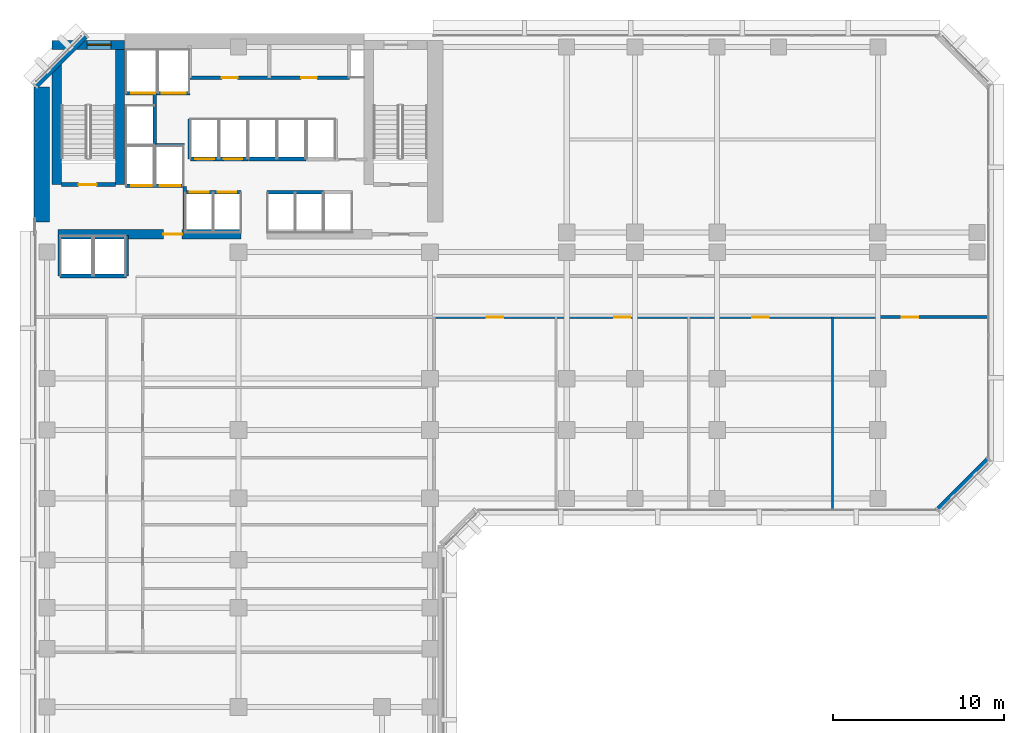
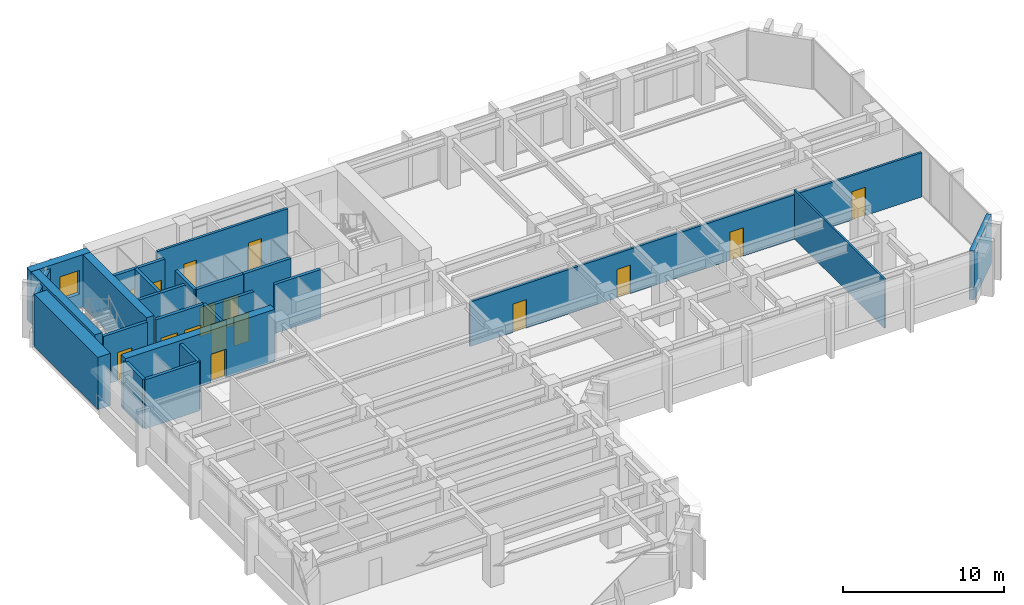
# One storey, part 7 of 13: 24 walls, 16 doors, 1 window, 17 openings.
"""IFC4 building model written with IfcOpenShell, lengths in metres."""

from ifc_helpers import new_model, si_unit, direction, frame, frame_2d, origin, place, context, subcontext, project, spatial, rectangle, extrude, material, layer, layer_set, type_object, element, fill, save


model = new_model("IFC4")

# Units and contexts
model_context = context("Model", 3, precision=1e-05, world=origin(), true_north=direction((0.0, 1.0)))
body_context = subcontext(model_context, "Body", "Model", "MODEL_VIEW")
ifc_project = project(units=[si_unit("LENGTHUNIT", "METRE"), si_unit("AREAUNIT", "SQUARE_METRE"), si_unit("VOLUMEUNIT", "CUBIC_METRE"), si_unit("PLANEANGLEUNIT", "RADIAN"), si_unit("MASSUNIT", "GRAM", prefix="KILO")], contexts=[model_context])

# Site, building, storey
site_placement = place(None, origin())
site = spatial("IfcSite", under=ifc_project, at=site_placement, CompositionType="ELEMENT")
building_placement = place(site_placement, origin())
building = spatial("IfcBuilding", under=site, at=building_placement, Name="Kefirva Bronze Tower", CompositionType="ELEMENT")
storey_placement = place(building_placement, frame((0.0, 0.0, 85.800048828125)))
storey = spatial("IfcBuildingStorey", under=building, at=storey_placement, Name="L20", CompositionType="ELEMENT", Elevation=85.800048828125)

# Wall
ifc_material_1 = material(Name="Gypsum acoustic partition")
ifc_layer_1 = layer(ifc_material_1, 0.1298828125, Name="Gypsum acoustic partition")
ifc_layer_set_1 = layer_set([ifc_layer_1], Name="Gypsum acoustic partition")
wall_type_1 = type_object("IfcWallType", Name="Acoustic Office Partition 130mm", PredefinedType="PARTITIONING", material=ifc_layer_set_1)
wall_1_placement = place(storey_placement, frame((46.749267578125, 18.18994140625, 0.0), z_axis=(0.0, 0.0, 1.0), x_axis=(0.0, 1.0, 0.0)))
element("IfcWall", 1, at=wall_1_placement, inside=storey, type_object=wall_type_1, Name="L20 Partition W-L20-ESD3", PredefinedType="PARTITIONING", context=body_context, shape_type="SweptSolid", body=[
    extrude(rectangle(XDim=11.2099609375, YDim=0.1298828125, at=frame_2d((5.60498046875, 0.0))), origin(), (0.0, 0.0, 1.0), 3.7099609375),
])

# Wall, opening, door
ifc_material_2 = material(Name="Gypsum fireboard shaftwall")
ifc_layer_2 = layer(ifc_material_2, 0.219970703125, Name="Gypsum fireboard shaftwall")
ifc_layer_set_2 = layer_set([ifc_layer_2], Name="Gypsum fireboard shaftwall")
wall_type_2 = type_object("IfcWallType", Name="Fire-Rated Shaft Enclosure Wall 220mm", PredefinedType="PARTITIONING", material=ifc_layer_set_2)
wall_2_placement = place(storey_placement, frame((1.64990234375, 37.14990234375, 0.0), z_axis=(0.0, 0.0, 1.0), x_axis=(1.0, 0.0, 0.0)))
wall_2 = element("IfcWall", 2, at=wall_2_placement, inside=storey, type_object=wall_type_2, Name="L20 Partition W-L20-ST1S", PredefinedType="PARTITIONING", context=body_context, shape_type="SweptSolid", body=[
    extrude(rectangle(XDim=3.150146484375, YDim=0.219970703125, at=frame_2d((1.5751953125, 0.0))), origin(), (0.0, 0.0, 1.0), 3.7099609375),
])
opening_1_placement = place(wall_2_placement, frame((2.050048828125, 0.0, 0.0), z_axis=(0.0, 0.0, 1.0), x_axis=(-1.0, 0.0, 0.0)))
opening_1 = element("IfcOpeningElement", 3, at=opening_1_placement, cuts=wall_2, Name="Opening L20-D001", PredefinedType="OPENING", context=body_context, shape_type="SweptSolid", body=[
    extrude(rectangle(XDim=1.050048828125, YDim=2.14990234375, at=frame_2d((0.52490234375, 1.074951171875))), frame((0.0, 0.1201171875, 0.0), z_axis=(0.0, -1.0, 0.0), x_axis=(1.0, 0.0, 0.0)), (0.0, 0.0, 1.0), 0.239990234375),
])
ifc_material_3 = material(Name="Painted galvanized steel", Category="steel")
door_type_1 = type_object("IfcDoorType", Name="Fire Stair Enclosure Door 1050x2150 FD90S", OperationType="NOTDEFINED", PredefinedType="DOOR", material=ifc_material_3)
door_1_placement = place(opening_1_placement, origin())
door_1 = element("IfcDoor", 4, at=door_1_placement, inside=storey, type_object=door_type_1, Name="Door L20-D001", OperationType="SINGLE_SWING_RIGHT", OverallHeight=2.14990234375, OverallWidth=1.050048828125, PredefinedType="DOOR", context=body_context, shape_type="SweptSolid", body=[
    extrude(rectangle(XDim=1.050048828125, YDim=2.14990234375, at=frame_2d((0.52490234375, 1.074951171875))), frame((0.0, 0.02490234375, 0.0), z_axis=(0.0, -1.0, 0.0), x_axis=(1.0, 0.0, 0.0)), (0.0, 0.0, 1.0), 0.050048828125),
])
fill(opening_1, door_1)

# Wall, openings, doors
wall_3_placement = place(storey_placement, frame((5.3798828125, 37.080078125, 0.0), z_axis=(0.0, 0.0, 1.0), x_axis=(1.0, 0.0, 0.0)))
wall_3 = element("IfcWall", 5, at=wall_3_placement, inside=storey, type_object=wall_type_2, Name="L20 Partition W-L20-FFS", PredefinedType="PARTITIONING", context=body_context, shape_type="SweptSolid", body=[
    extrude(rectangle(XDim=3.460205078125, YDim=0.219970703125, at=frame_2d((1.72998046875, 0.0))), origin(), (0.0, 0.0, 1.0), 3.7099609375),
])
opening_2_placement = place(wall_3_placement, frame((1.550048828125, 0.0, 0.0), z_axis=(0.0, 0.0, 1.0), x_axis=(-1.0, 0.0, 0.0)))
opening_2 = element("IfcOpeningElement", 6, at=opening_2_placement, cuts=wall_3, Name="Opening L20-LD-FF1", PredefinedType="OPENING", context=body_context, shape_type="SweptSolid", body=[
    extrude(rectangle(XDim=1.199951171875, YDim=2.199951171875, at=frame_2d((0.60009765625, 1.10009765625))), frame((0.0, 0.1201171875, 0.0), z_axis=(0.0, -1.0, 0.0), x_axis=(1.0, 0.0, 0.0)), (0.0, 0.0, 1.0), 0.239990234375),
])
opening_3_placement = place(wall_3_placement, frame((3.219970703125, 0.0, 0.0), z_axis=(0.0, 0.0, 1.0), x_axis=(-1.0, 0.0, 0.0)))
opening_3 = element("IfcOpeningElement", 7, at=opening_3_placement, cuts=wall_3, Name="Opening L20-LD-FF2", PredefinedType="OPENING", context=body_context, shape_type="SweptSolid", body=[
    extrude(rectangle(XDim=1.199951171875, YDim=2.199951171875, at=frame_2d((0.60009765625, 1.10009765625))), frame((0.0, 0.1201171875, 0.0), z_axis=(0.0, -1.0, 0.0), x_axis=(1.0, 0.0, 0.0)), (0.0, 0.0, 1.0), 0.239990234375),
])
ifc_material_4 = material(Name="Stainless steel 316", Category="steel")
door_type_2 = type_object("IfcDoorType", Name="Firefighting Lift Sliding Door 1200x2200", OperationType="SLIDING_TO_RIGHT", PredefinedType="DOOR", material=ifc_material_4)
door_2_placement = place(opening_2_placement, origin())
door_2 = element("IfcDoor", 8, at=door_2_placement, inside=storey, type_object=door_type_2, Name="Door L20-LD-FF1", OperationType="SLIDING_TO_RIGHT", OverallHeight=2.199951171875, OverallWidth=1.199951171875, PredefinedType="DOOR", context=body_context, shape_type="SweptSolid", body=[
    extrude(rectangle(XDim=1.199951171875, YDim=2.199951171875, at=frame_2d((0.60009765625, 1.10009765625))), frame((0.0, 0.02490234375, 0.0), z_axis=(0.0, -1.0, 0.0), x_axis=(1.0, 0.0, 0.0)), (0.0, 0.0, 1.0), 0.050048828125),
])
fill(opening_2, door_2)
door_3_placement = place(opening_3_placement, origin())
door_3 = element("IfcDoor", 9, at=door_3_placement, inside=storey, type_object=door_type_2, Name="Door L20-LD-FF2", OperationType="SLIDING_TO_RIGHT", OverallHeight=2.199951171875, OverallWidth=1.199951171875, PredefinedType="DOOR", context=body_context, shape_type="SweptSolid", body=[
    extrude(rectangle(XDim=1.199951171875, YDim=2.199951171875, at=frame_2d((0.60009765625, 1.10009765625))), frame((0.0, 0.02490234375, 0.0), z_axis=(0.0, -1.0, 0.0), x_axis=(1.0, 0.0, 0.0)), (0.0, 0.0, 1.0), 0.050048828125),
])
fill(opening_3, door_3)

# Wall
wall_4_placement = place(storey_placement, frame((5.3798828125, 39.449951171875, 0.0), z_axis=(0.0, 0.0, 1.0), x_axis=(1.0, 0.0, 0.0)))
element("IfcWall", 10, at=wall_4_placement, inside=storey, type_object=wall_type_2, Name="L20 Partition W-L20-FFN", PredefinedType="PARTITIONING", context=body_context, shape_type="SweptSolid", body=[
    extrude(rectangle(XDim=3.460205078125, YDim=0.219970703125, at=frame_2d((1.72998046875, 0.0))), origin(), (0.0, 0.0, 1.0), 3.7099609375),
])

# Wall, openings, doors
wall_5_placement = place(storey_placement, frame((5.3798828125, 42.5, 0.0), z_axis=(0.0, 0.0, 1.0), x_axis=(1.0, 0.0, 0.0)))
wall_5 = element("IfcWall", 11, at=wall_5_placement, inside=storey, type_object=wall_type_2, Name="L20 Partition W-L20-SVS", PredefinedType="PARTITIONING", context=body_context, shape_type="SweptSolid", body=[
    extrude(rectangle(XDim=3.77001953125, YDim=0.219970703125, at=frame_2d((1.885009765625, 0.0))), origin(), (0.0, 0.0, 1.0), 3.7099609375),
])
opening_4_placement = place(wall_5_placement, frame((1.75, 0.0, 0.0), z_axis=(0.0, 0.0, 1.0), x_axis=(-1.0, 0.0, 0.0)))
opening_4 = element("IfcOpeningElement", 12, at=opening_4_placement, cuts=wall_5, Name="Opening L20-LD-SV1", PredefinedType="OPENING", context=body_context, shape_type="SweptSolid", body=[
    extrude(rectangle(XDim=1.39990234375, YDim=2.199951171875, at=frame_2d((0.699951171875, 1.10009765625))), frame((0.0, 0.1201171875, 0.0), z_axis=(0.0, -1.0, 0.0), x_axis=(1.0, 0.0, 0.0)), (0.0, 0.0, 1.0), 0.239990234375),
])
opening_5_placement = place(wall_5_placement, frame((3.52978515625, 0.0, 0.0), z_axis=(0.0, 0.0, 1.0), x_axis=(-1.0, 0.0, 0.0)))
opening_5 = element("IfcOpeningElement", 13, at=opening_5_placement, cuts=wall_5, Name="Opening L20-LD-SV2", PredefinedType="OPENING", context=body_context, shape_type="SweptSolid", body=[
    extrude(rectangle(XDim=1.39990234375, YDim=2.199951171875, at=frame_2d((0.699951171875, 1.10009765625))), frame((0.0, 0.1201171875, 0.0), z_axis=(0.0, -1.0, 0.0), x_axis=(1.0, 0.0, 0.0)), (0.0, 0.0, 1.0), 0.239990234375),
])
door_type_3 = type_object("IfcDoorType", Name="Goods Lift Bi-Parting Sliding Door 1400x2200", OperationType="SLIDING_TO_LEFT", PredefinedType="DOOR", material=ifc_material_4)
door_4_placement = place(opening_4_placement, origin())
door_4 = element("IfcDoor", 14, at=door_4_placement, inside=storey, type_object=door_type_3, Name="Door L20-LD-SV1", OperationType="SLIDING_TO_LEFT", OverallHeight=2.199951171875, OverallWidth=1.39990234375, PredefinedType="DOOR", context=body_context, shape_type="SweptSolid", body=[
    extrude(rectangle(XDim=1.39990234375, YDim=2.199951171875, at=frame_2d((0.699951171875, 1.10009765625))), frame((0.0, 0.02490234375, 0.0), z_axis=(0.0, -1.0, 0.0), x_axis=(1.0, 0.0, 0.0)), (0.0, 0.0, 1.0), 0.050048828125),
])
fill(opening_4, door_4)
door_5_placement = place(opening_5_placement, origin())
door_5 = element("IfcDoor", 15, at=door_5_placement, inside=storey, type_object=door_type_3, Name="Door L20-LD-SV2", OperationType="SLIDING_TO_LEFT", OverallHeight=2.199951171875, OverallWidth=1.39990234375, PredefinedType="DOOR", context=body_context, shape_type="SweptSolid", body=[
    extrude(rectangle(XDim=1.39990234375, YDim=2.199951171875, at=frame_2d((0.699951171875, 1.10009765625))), frame((0.0, 0.02490234375, 0.0), z_axis=(0.0, -1.0, 0.0), x_axis=(1.0, 0.0, 0.0)), (0.0, 0.0, 1.0), 0.050048828125),
])
fill(opening_5, door_5)

# Walls
wall_6_placement = place(storey_placement, frame((7.10009765625, 39.52001953125, 0.0), z_axis=(0.0, 0.0, 1.0), x_axis=(0.0, 1.0, 0.0)))
element("IfcWall", 16, at=wall_6_placement, inside=storey, type_object=wall_type_2, Name="L20 Partition W-L20-HP3E", PredefinedType="PARTITIONING", context=body_context, shape_type="SweptSolid", body=[
    extrude(rectangle(XDim=2.929931640625, YDim=0.219970703125, at=frame_2d((1.46484375, 0.0))), origin(), (0.0, 0.0, 1.0), 3.7099609375),
])
wall_7_placement = place(storey_placement, frame((1.550048828125, 31.800048828125, 0.0), z_axis=(0.0, 0.0, 1.0), x_axis=(1.0, 0.0, 0.0)))
element("IfcWall", 17, at=wall_7_placement, inside=storey, type_object=wall_type_2, Name="L20 Partition W-L20-OBS", PredefinedType="PARTITIONING", context=body_context, shape_type="SweptSolid", body=[
    extrude(rectangle(XDim=3.89990234375, YDim=0.219970703125, at=frame_2d((1.949951171875, 0.0))), origin(), (0.0, 0.0, 1.0), 3.7099609375),
])
for number, where, z_axis, x_axis, name in (
    (18, (1.550048828125, 31.800048828125, 0.0), (0.0, 0.0, 1.0), (0.0, 1.0, 0.0), "L20 Partition W-L20-OBW"),
    (19, (5.449951171875, 31.800048828125, 0.0), (0.0, 0.0, 1.0), (0.0, 1.0, 0.0), "L20 Partition W-L20-OBE"),
):
    element("IfcWall", number, at=place(storey_placement, frame(where, z_axis=z_axis, x_axis=x_axis)), inside=storey, type_object=wall_type_2, Name=name, PredefinedType="PARTITIONING", context=body_context, shape_type="SweptSolid", body=[
        extrude(rectangle(XDim=2.3798828125, YDim=0.219970703125, at=frame_2d((1.18994140625, 0.0))), origin(), (0.0, 0.0, 1.0), 3.7099609375),
    ])
wall_8_placement = place(storey_placement, frame((9.159912109375, 38.64990234375, 0.0), z_axis=(0.0, 0.0, 1.0), x_axis=(0.0, 1.0, 0.0)))
element("IfcWall", 20, at=wall_8_placement, inside=storey, type_object=wall_type_2, Name="L20 Partition W-L20-LP3W", PredefinedType="PARTITIONING", context=body_context, shape_type="SweptSolid", body=[
    extrude(rectangle(XDim=2.35009765625, YDim=0.199951171875, at=frame_2d((1.175048828125, 0.0))), origin(), (0.0, 0.0, 1.0), 3.7099609375),
])

# Wall, openings, doors
wall_9_placement = place(storey_placement, frame((8.89990234375, 36.699951171875, 0.0), z_axis=(0.0, 0.0, 1.0), x_axis=(1.0, 0.0, 0.0)))
wall_9 = element("IfcWall", 21, at=wall_9_placement, inside=storey, type_object=wall_type_2, Name="L20 Partition W-L20-LPS", PredefinedType="PARTITIONING", context=body_context, shape_type="SweptSolid", body=[
    extrude(rectangle(XDim=3.260009765625, YDim=0.219970703125, at=frame_2d((1.6298828125, 0.0))), origin(), (0.0, 0.0, 1.0), 3.7099609375),
])
opening_6_placement = place(wall_9_placement, frame((0.260009765625, 0.0, 0.0)))
opening_6 = element("IfcOpeningElement", 22, at=opening_6_placement, cuts=wall_9, Name="Opening L20-LD-LP1", PredefinedType="OPENING", context=body_context, shape_type="SweptSolid", body=[
    extrude(rectangle(XDim=1.10009765625, YDim=2.199951171875, at=frame_2d((0.550048828125, 1.10009765625))), frame((0.0, 0.1201171875, 0.0), z_axis=(0.0, -1.0, 0.0), x_axis=(1.0, 0.0, 0.0)), (0.0, 0.0, 1.0), 0.239990234375),
])
opening_7_placement = place(wall_9_placement, frame((1.8798828125, 0.0, 0.0)))
opening_7 = element("IfcOpeningElement", 23, at=opening_7_placement, cuts=wall_9, Name="Opening L20-LD-LP2", PredefinedType="OPENING", context=body_context, shape_type="SweptSolid", body=[
    extrude(rectangle(XDim=1.10009765625, YDim=2.199951171875, at=frame_2d((0.550048828125, 1.10009765625))), frame((0.0, 0.1201171875, 0.0), z_axis=(0.0, -1.0, 0.0), x_axis=(1.0, 0.0, 0.0)), (0.0, 0.0, 1.0), 0.239990234375),
])
door_type_4 = type_object("IfcDoorType", Name="Passenger Lift Sliding Landing Door 1100x2200", OperationType="SLIDING_TO_LEFT", PredefinedType="DOOR", material=ifc_material_4)
door_6_placement = place(opening_6_placement, origin())
door_6 = element("IfcDoor", 24, at=door_6_placement, inside=storey, type_object=door_type_4, Name="Door L20-LD-LP1", OperationType="SLIDING_TO_LEFT", OverallHeight=2.199951171875, OverallWidth=1.10009765625, PredefinedType="DOOR", context=body_context, shape_type="SweptSolid", body=[
    extrude(rectangle(XDim=1.10009765625, YDim=2.199951171875, at=frame_2d((0.550048828125, 1.10009765625))), frame((0.0, 0.02490234375, 0.0), z_axis=(0.0, -1.0, 0.0), x_axis=(1.0, 0.0, 0.0)), (0.0, 0.0, 1.0), 0.050048828125),
])
fill(opening_6, door_6)
door_7_placement = place(opening_7_placement, origin())
door_7 = element("IfcDoor", 25, at=door_7_placement, inside=storey, type_object=door_type_4, Name="Door L20-LD-LP2", OperationType="SLIDING_TO_LEFT", OverallHeight=2.199951171875, OverallWidth=1.10009765625, PredefinedType="DOOR", context=body_context, shape_type="SweptSolid", body=[
    extrude(rectangle(XDim=1.10009765625, YDim=2.199951171875, at=frame_2d((0.550048828125, 1.10009765625))), frame((0.0, 0.02490234375, 0.0), z_axis=(0.0, -1.0, 0.0), x_axis=(1.0, 0.0, 0.0)), (0.0, 0.0, 1.0), 0.050048828125),
])
fill(opening_7, door_7)

wall_10_placement = place(storey_placement, frame((9.179931640625, 38.64990234375, 0.0), z_axis=(0.0, 0.0, 1.0), x_axis=(1.0, 0.0, 0.0)))
wall_10 = element("IfcWall", 26, at=wall_10_placement, inside=storey, type_object=wall_type_2, Name="L20 Partition W-L20-LPN", PredefinedType="PARTITIONING", context=body_context, shape_type="SweptSolid", body=[
    extrude(rectangle(XDim=3.380126953125, YDim=0.219970703125, at=frame_2d((1.68994140625, 0.0))), origin(), (0.0, 0.0, 1.0), 3.7099609375),
])
opening_8_placement = place(wall_10_placement, frame((0.300048828125, 0.0, 0.0)))
opening_8 = element("IfcOpeningElement", 27, at=opening_8_placement, cuts=wall_10, Name="Opening L20-LD-LP3", PredefinedType="OPENING", context=body_context, shape_type="SweptSolid", body=[
    extrude(rectangle(XDim=1.10009765625, YDim=2.199951171875, at=frame_2d((0.550048828125, 1.10009765625))), frame((0.0, 0.1201171875, 0.0), z_axis=(0.0, -1.0, 0.0), x_axis=(1.0, 0.0, 0.0)), (0.0, 0.0, 1.0), 0.239990234375),
])
opening_9_placement = place(wall_10_placement, frame((1.949951171875, 0.0, 0.0)))
opening_9 = element("IfcOpeningElement", 28, at=opening_9_placement, cuts=wall_10, Name="Opening L20-LD-LP4", PredefinedType="OPENING", context=body_context, shape_type="SweptSolid", body=[
    extrude(rectangle(XDim=1.10009765625, YDim=2.199951171875, at=frame_2d((0.550048828125, 1.10009765625))), frame((0.0, 0.1201171875, 0.0), z_axis=(0.0, -1.0, 0.0), x_axis=(1.0, 0.0, 0.0)), (0.0, 0.0, 1.0), 0.239990234375),
])
door_8_placement = place(opening_8_placement, origin())
door_8 = element("IfcDoor", 29, at=door_8_placement, inside=storey, type_object=door_type_4, Name="Door L20-LD-LP3", OperationType="SLIDING_TO_LEFT", OverallHeight=2.199951171875, OverallWidth=1.10009765625, PredefinedType="DOOR", context=body_context, shape_type="SweptSolid", body=[
    extrude(rectangle(XDim=1.10009765625, YDim=2.199951171875, at=frame_2d((0.550048828125, 1.10009765625))), frame((0.0, 0.02490234375, 0.0), z_axis=(0.0, -1.0, 0.0), x_axis=(1.0, 0.0, 0.0)), (0.0, 0.0, 1.0), 0.050048828125),
])
fill(opening_8, door_8)
door_9_placement = place(opening_9_placement, origin())
door_9 = element("IfcDoor", 30, at=door_9_placement, inside=storey, type_object=door_type_4, Name="Door L20-LD-LP4", OperationType="SLIDING_TO_LEFT", OverallHeight=2.199951171875, OverallWidth=1.10009765625, PredefinedType="DOOR", context=body_context, shape_type="SweptSolid", body=[
    extrude(rectangle(XDim=1.10009765625, YDim=2.199951171875, at=frame_2d((0.550048828125, 1.10009765625))), frame((0.0, 0.02490234375, 0.0), z_axis=(0.0, -1.0, 0.0), x_axis=(1.0, 0.0, 0.0)), (0.0, 0.0, 1.0), 0.050048828125),
])
fill(opening_9, door_9)

# Walls
wall_11_placement = place(storey_placement, frame((13.679931640625, 36.699951171875, 0.0), z_axis=(0.0, 0.0, 1.0), x_axis=(1.0, 0.0, 0.0)))
element("IfcWall", 31, at=wall_11_placement, inside=storey, type_object=wall_type_2, Name="L20 Partition W-L20-MPS", PredefinedType="PARTITIONING", context=body_context, shape_type="SweptSolid", body=[
    extrude(rectangle(XDim=3.280029296875, YDim=0.219970703125, at=frame_2d((1.64013671875, 0.0))), origin(), (0.0, 0.0, 1.0), 3.7099609375),
])
wall_12_placement = place(storey_placement, frame((12.580078125, 38.64990234375, 0.0), z_axis=(0.0, 0.0, 1.0), x_axis=(1.0, 0.0, 0.0)))
element("IfcWall", 32, at=wall_12_placement, inside=storey, type_object=wall_type_2, Name="L20 Partition W-L20-MPN", PredefinedType="PARTITIONING", context=body_context, shape_type="SweptSolid", body=[
    extrude(rectangle(XDim=3.3798828125, YDim=0.219970703125, at=frame_2d((1.68994140625, 0.0))), origin(), (0.0, 0.0, 1.0), 3.7099609375),
])
ifc_material_5 = material(Name="Gypsum fireboard barrier")
ifc_layer_3 = layer(ifc_material_5, 0.199951171875, Name="Gypsum fireboard barrier")
ifc_layer_set_3 = layer_set([ifc_layer_3], Name="Gypsum fireboard barrier")
wall_type_3 = type_object("IfcWallType", Name="Firefighting Lobby Barrier Wall 200mm", PredefinedType="PARTITIONING", material=ifc_layer_set_3)
wall_13_placement = place(storey_placement, frame((8.860107421875, 34.550048828125, 0.0), z_axis=(0.0, 0.0, 1.0), x_axis=(0.0, 1.0, 0.0)))
element("IfcWall", 33, at=wall_13_placement, inside=storey, type_object=wall_type_3, Name="L20 Partition W-L20-FFLE", PredefinedType="PARTITIONING", context=body_context, shape_type="SweptSolid", body=[
    extrude(rectangle(XDim=2.5, YDim=0.199951171875, at=frame_2d((1.25, 0.0))), origin(), (0.0, 0.0, 1.0), 3.7099609375),
])
ifc_material_6 = material(Name="Precast concrete C40/50", Category="concrete")
ifc_layer_4 = layer(ifc_material_6, 0.320068359375, Name="Precast concrete C40/50")
ifc_layer_set_4 = layer_set([ifc_layer_4], Name="Precast concrete C40/50")
wall_type_4 = type_object("IfcWallType", Name="Precast Insulated Exterior Wall 320mm", PredefinedType="SOLIDWALL", material=ifc_layer_set_4)
for number, where, z_axis, x_axis, name in (
    (34, (52.92578125, 18.152099609375, 0.0), (0.0, 0.0, 1.0), (0.707106781187, 0.707106781187, 0.0), "L20 Exterior Facade Wall 4"),
    (35, (3.07421875, 45.847900390625, 0.0), (0.0, 0.0, 1.0), (-0.707106781187, -0.707106781187, 0.0), "L20 Exterior Facade Wall 6"),
):
    element("IfcWall", number, at=place(storey_placement, frame(where, z_axis=z_axis, x_axis=x_axis)), inside=storey, type_object=wall_type_4, Name=name, PredefinedType="SOLIDWALL", context=body_context, shape_type="SweptSolid", body=[
        extrude(rectangle(XDim=4.132568359375, YDim=0.320068359375, at=frame_2d((2.06640625, 0.0))), origin(), (0.0, 0.0, 1.0), 3.7099609375),
    ])

# Wall, openings, doors
ifc_layer_5 = layer(ifc_material_1, 0.159912109375, Name="Gypsum acoustic partition")
ifc_layer_set_5 = layer_set([ifc_layer_5], Name="Gypsum acoustic partition")
wall_type_5 = type_object("IfcWallType", Name="Protected Corridor Partition 160mm", PredefinedType="PARTITIONING", material=ifc_layer_set_5)
wall_14_placement = place(storey_placement, frame((23.449951171875, 29.39990234375, 0.0), z_axis=(0.0, 0.0, 1.0), x_axis=(1.0, 0.0, 0.0)))
wall_14 = element("IfcWall", 36, at=wall_14_placement, inside=storey, type_object=wall_type_5, Name="L20 Partition W-L20-EWS", PredefinedType="PARTITIONING", context=body_context, shape_type="SweptSolid", body=[
    extrude(rectangle(XDim=32.360107421875, YDim=0.159912109375, at=frame_2d((16.18017578125, 0.0))), origin(), (0.0, 0.0, 1.0), 3.364990234375),
])
opening_10_placement = place(wall_14_placement, frame((4.03466796875, 0.0, 0.0), z_axis=(0.0, 0.0, 1.0), x_axis=(-1.0, 0.0, 0.0)))
opening_10 = element("IfcOpeningElement", 37, at=opening_10_placement, cuts=wall_14, Name="Opening L20-D-ES1", PredefinedType="OPENING", context=body_context, shape_type="SweptSolid", body=[
    extrude(rectangle(XDim=0.949951171875, YDim=2.14990234375, at=frame_2d((0.47509765625, 1.074951171875))), frame((0.0, 0.08984375, 0.0), z_axis=(0.0, -1.0, 0.0), x_axis=(1.0, 0.0, 0.0)), (0.0, 0.0, 1.0), 0.179931640625),
])
opening_11_placement = place(wall_14_placement, frame((11.477294921875, 0.0, 0.0), z_axis=(0.0, 0.0, 1.0), x_axis=(-1.0, 0.0, 0.0)))
opening_11 = element("IfcOpeningElement", 38, at=opening_11_placement, cuts=wall_14, Name="Opening L20-D-ES2", PredefinedType="OPENING", context=body_context, shape_type="SweptSolid", body=[
    extrude(rectangle(XDim=0.949951171875, YDim=2.14990234375, at=frame_2d((0.47509765625, 1.074951171875))), frame((0.0, 0.08984375, 0.0), z_axis=(0.0, -1.0, 0.0), x_axis=(1.0, 0.0, 0.0)), (0.0, 0.0, 1.0), 0.179931640625),
])
opening_12_placement = place(wall_14_placement, frame((19.5673828125, 0.0, 0.0), z_axis=(0.0, 0.0, 1.0), x_axis=(-1.0, 0.0, 0.0)))
opening_12 = element("IfcOpeningElement", 39, at=opening_12_placement, cuts=wall_14, Name="Opening L20-D-ES3", PredefinedType="OPENING", context=body_context, shape_type="SweptSolid", body=[
    extrude(rectangle(XDim=0.949951171875, YDim=2.14990234375, at=frame_2d((0.47509765625, 1.074951171875))), frame((0.0, 0.08984375, 0.0), z_axis=(0.0, -1.0, 0.0), x_axis=(1.0, 0.0, 0.0)), (0.0, 0.0, 1.0), 0.179931640625),
])
opening_13_placement = place(wall_14_placement, frame((28.304443359375, 0.0, 0.0), z_axis=(0.0, 0.0, 1.0), x_axis=(-1.0, 0.0, 0.0)))
opening_13 = element("IfcOpeningElement", 40, at=opening_13_placement, cuts=wall_14, Name="Opening L20-D-ES4", PredefinedType="OPENING", context=body_context, shape_type="SweptSolid", body=[
    extrude(rectangle(XDim=0.949951171875, YDim=2.14990234375, at=frame_2d((0.47509765625, 1.074951171875))), frame((0.0, 0.08984375, 0.0), z_axis=(0.0, -1.0, 0.0), x_axis=(1.0, 0.0, 0.0)), (0.0, 0.0, 1.0), 0.179931640625),
])
ifc_material_7 = material(Name="Acoustic hardwood oak", Category="wood")
door_type_5 = type_object("IfcDoorType", Name="Office & Meeting Room Door 950x2150", OperationType="NOTDEFINED", PredefinedType="DOOR", material=ifc_material_7)
door_10_placement = place(opening_10_placement, origin())
door_10 = element("IfcDoor", 41, at=door_10_placement, inside=storey, type_object=door_type_5, Name="Door L20-D-ES1", OperationType="SINGLE_SWING_RIGHT", OverallHeight=2.14990234375, OverallWidth=0.949951171875, PredefinedType="DOOR", context=body_context, shape_type="SweptSolid", body=[
    extrude(rectangle(XDim=0.949951171875, YDim=2.14990234375, at=frame_2d((0.47509765625, 1.074951171875))), frame((0.0, 0.02490234375, 0.0), z_axis=(0.0, -1.0, 0.0), x_axis=(1.0, 0.0, 0.0)), (0.0, 0.0, 1.0), 0.050048828125),
])
fill(opening_10, door_10)
door_11_placement = place(opening_11_placement, origin())
door_11 = element("IfcDoor", 42, at=door_11_placement, inside=storey, type_object=door_type_5, Name="Door L20-D-ES2", OperationType="SINGLE_SWING_LEFT", OverallHeight=2.14990234375, OverallWidth=0.949951171875, PredefinedType="DOOR", context=body_context, shape_type="SweptSolid", body=[
    extrude(rectangle(XDim=0.949951171875, YDim=2.14990234375, at=frame_2d((0.47509765625, 1.074951171875))), frame((0.0, 0.02490234375, 0.0), z_axis=(0.0, -1.0, 0.0), x_axis=(1.0, 0.0, 0.0)), (0.0, 0.0, 1.0), 0.050048828125),
])
fill(opening_11, door_11)
door_12_placement = place(opening_12_placement, origin())
door_12 = element("IfcDoor", 43, at=door_12_placement, inside=storey, type_object=door_type_5, Name="Door L20-D-ES3", OperationType="SINGLE_SWING_RIGHT", OverallHeight=2.14990234375, OverallWidth=0.949951171875, PredefinedType="DOOR", context=body_context, shape_type="SweptSolid", body=[
    extrude(rectangle(XDim=0.949951171875, YDim=2.14990234375, at=frame_2d((0.47509765625, 1.074951171875))), frame((0.0, 0.02490234375, 0.0), z_axis=(0.0, -1.0, 0.0), x_axis=(1.0, 0.0, 0.0)), (0.0, 0.0, 1.0), 0.050048828125),
])
fill(opening_12, door_12)
door_13_placement = place(opening_13_placement, origin())
door_13 = element("IfcDoor", 44, at=door_13_placement, inside=storey, type_object=door_type_5, Name="Door L20-D-ES4", OperationType="SINGLE_SWING_LEFT", OverallHeight=2.14990234375, OverallWidth=0.949951171875, PredefinedType="DOOR", context=body_context, shape_type="SweptSolid", body=[
    extrude(rectangle(XDim=0.949951171875, YDim=2.14990234375, at=frame_2d((0.47509765625, 1.074951171875))), frame((0.0, 0.02490234375, 0.0), z_axis=(0.0, -1.0, 0.0), x_axis=(1.0, 0.0, 0.0)), (0.0, 0.0, 1.0), 0.050048828125),
])
fill(opening_13, door_13)

# Wall, opening, window
ifc_material_8 = material(Name="Concrete C50/60", Category="concrete")
ifc_layer_6 = layer(ifc_material_8, 0.550048828125, Name="Concrete C50/60")
ifc_layer_set_6 = layer_set([ifc_layer_6], Name="Concrete C50/60")
wall_type_6 = type_object("IfcWallType", Name="RC Rear Core Exterior Wall 550mm", PredefinedType="SHEAR", material=ifc_layer_set_6)
wall_15_placement = place(storey_placement, frame((1.10009765625, 45.320068359375, 0.0), z_axis=(0.0, 0.0, 1.0), x_axis=(1.0, 0.0, 0.0)))
wall_15 = element("IfcWall", 45, at=wall_15_placement, inside=storey, type_object=wall_type_6, Name="L20 Stair 1 North Shear Wall", PredefinedType="SHEAR", context=body_context, shape_type="SweptSolid", body=[
    extrude(rectangle(XDim=4.239990234375, YDim=0.550048828125, at=frame_2d((2.1201171875, 0.0))), origin(), (0.0, 0.0, 1.0), 3.9599609375),
])
opening_14_placement = place(wall_15_placement, frame((2.050048828125, 0.0, 1.050048828125)))
opening_14 = element("IfcOpeningElement", 46, at=opening_14_placement, cuts=wall_15, Name="Opening WN-03", PredefinedType="OPENING", context=body_context, shape_type="SweptSolid", body=[
    extrude(rectangle(XDim=1.39990234375, YDim=1.800048828125, at=frame_2d((0.699951171875, 0.89990234375))), frame((0.0, 0.28515625, 0.0), z_axis=(0.0, -1.0, 0.0), x_axis=(1.0, 0.0, 0.0)), (0.0, 0.0, 1.0), 0.570068359375),
])
ifc_material_9 = material(Name="Laminated low-E double glazing", Category="glass")
window_type = type_object("IfcWindowType", Name="Rear-Core Stair Daylight Window 1400x1800", PartitioningType="SINGLE_PANEL", PredefinedType="WINDOW", material=ifc_material_9)
window_placement = place(opening_14_placement, origin())
window = element("IfcWindow", 47, at=window_placement, inside=storey, type_object=window_type, Name="L20 Stair 1 Daylight Window", OverallHeight=1.800048828125, OverallWidth=1.39990234375, PartitioningType="SINGLE_PANEL", PredefinedType="WINDOW", context=body_context, shape_type="SweptSolid", body=[
    extrude(rectangle(XDim=1.39990234375, YDim=1.800048828125, at=frame_2d((0.699951171875, 0.89990234375))), frame((0.0, 0.030029296875, 0.0), z_axis=(0.0, -1.0, 0.0), x_axis=(1.0, 0.0, 0.0)), (0.0, 0.0, 1.0), 0.06005859375),
])
fill(opening_14, window)

# Walls
ifc_material_10 = material(Name="Concrete C60/75", Category="concrete")
ifc_layer_7 = layer(ifc_material_10, 0.89990234375, Name="Concrete C60/75")
ifc_layer_set_7 = layer_set([ifc_layer_7], Name="Concrete C60/75")
wall_type_7 = type_object("IfcWallType", Name="RC Rear Core Exterior Wall 900mm", PredefinedType="SHEAR", material=ifc_layer_set_7)
wall_16_placement = place(storey_placement, frame((0.5, 34.949951171875, 0.0), z_axis=(0.0, 0.0, 1.0), x_axis=(0.0, 1.0, 0.0)))
element("IfcWall", 48, at=wall_16_placement, inside=storey, type_object=wall_type_7, Name="L20 Rear Core West Shear Wall", PredefinedType="SHEAR", context=body_context, shape_type="SweptSolid", body=[
    extrude(rectangle(XDim=7.900146484375, YDim=0.89990234375, at=frame_2d((3.9501953125, 0.0))), origin(), (0.0, 0.0, 1.0), 3.9599609375),
])
ifc_layer_8 = layer(ifc_material_8, 0.550048828125, Name="Concrete C50/60")
ifc_layer_set_8 = layer_set([ifc_layer_8], Name="Concrete C50/60")
wall_type_8 = type_object("IfcWallType", Name="RC Rear Core Interior Wall 550mm", PredefinedType="SHEAR", material=ifc_layer_set_8)
for number, where, z_axis, x_axis, name in (
    (49, (1.3701171875, 37.14990234375, 0.0), (0.0, 0.0, 1.0), (0.0, 1.0, 0.0), "L20 Stair 1 West Shear Wall"),
    (50, (5.070068359375, 37.14990234375, 0.0), (0.0, 0.0, 1.0), (0.0, 1.0, 0.0), "L20 Stair 1 East Shear Wall"),
):
    element("IfcWall", number, at=place(storey_placement, frame(where, z_axis=z_axis, x_axis=x_axis)), inside=storey, type_object=wall_type_8, Name=name, PredefinedType="SHEAR", context=body_context, shape_type="SweptSolid", body=[
        extrude(rectangle(XDim=7.89013671875, YDim=0.550048828125, at=frame_2d((3.945068359375, 0.0))), origin(), (0.0, 0.0, 1.0), 3.9599609375),
    ])

# Wall, opening, door
ifc_layer_9 = layer(ifc_material_10, 0.89990234375, Name="Concrete C60/75")
ifc_layer_set_9 = layer_set([ifc_layer_9], Name="Concrete C60/75")
wall_type_9 = type_object("IfcWallType", Name="RC Rear Core Interior Wall 900mm", PredefinedType="SHEAR", material=ifc_layer_set_9)
wall_17_placement = place(storey_placement, frame((1.449951171875, 34.25, 0.0), z_axis=(0.0, 0.0, 1.0), x_axis=(1.0, 0.0, 0.0)))
wall_17 = element("IfcWall", 51, at=wall_17_placement, inside=storey, type_object=wall_type_9, Name="L20 Rear Core South-West Shear Wall", PredefinedType="SHEAR", context=body_context, shape_type="SweptSolid", body=[
    extrude(rectangle(XDim=10.7099609375, YDim=0.550048828125, at=frame_2d((5.35498046875, 0.0))), origin(), (0.0, 0.0, 1.0), 3.9599609375),
])
opening_15_placement = place(wall_17_placement, frame((7.25, 0.0, 0.0), z_axis=(0.0, 0.0, 1.0), x_axis=(-1.0, 0.0, 0.0)))
opening_15 = element("IfcOpeningElement", 52, at=opening_15_placement, cuts=wall_17, Name="Opening L20-D002", PredefinedType="OPENING", context=body_context, shape_type="SweptSolid", body=[
    extrude(rectangle(XDim=1.10009765625, YDim=2.14990234375, at=frame_2d((0.550048828125, 1.074951171875))), frame((0.0, 0.28515625, 0.0), z_axis=(0.0, -1.0, 0.0), x_axis=(1.0, 0.0, 0.0)), (0.0, 0.0, 1.0), 0.570068359375),
])
door_type_6 = type_object("IfcDoorType", Name="Firefighting Lobby Smoke Door 1100x2150 FD60S", OperationType="NOTDEFINED", PredefinedType="DOOR", material=ifc_material_3)
door_14_placement = place(opening_15_placement, origin())
door_14 = element("IfcDoor", 53, at=door_14_placement, inside=storey, type_object=door_type_6, Name="Door L20-D002", OperationType="SINGLE_SWING_LEFT", OverallHeight=2.14990234375, OverallWidth=1.10009765625, PredefinedType="DOOR", context=body_context, shape_type="SweptSolid", body=[
    extrude(rectangle(XDim=1.10009765625, YDim=2.14990234375, at=frame_2d((0.550048828125, 1.074951171875))), frame((0.0, 0.02490234375, 0.0), z_axis=(0.0, -1.0, 0.0), x_axis=(1.0, 0.0, 0.0)), (0.0, 0.0, 1.0), 0.050048828125),
])
fill(opening_15, door_14)

# Wall, openings, doors
ifc_material_11 = material(Name="Moisture-resistant partition")
ifc_layer_10 = layer(ifc_material_11, 0.179931640625, Name="Moisture-resistant partition")
ifc_layer_set_10 = layer_set([ifc_layer_10], Name="Moisture-resistant partition")
wall_type_10 = type_object("IfcWallType", Name="Sanitary Plumbing Chase Wall 180mm", PredefinedType="PLUMBINGWALL", material=ifc_layer_set_10)
wall_18_placement = place(storey_placement, frame((9.14990234375, 43.39990234375, 0.0), z_axis=(0.0, 0.0, 1.0), x_axis=(1.0, 0.0, 0.0)))
wall_18 = element("IfcWall", 54, at=wall_18_placement, inside=storey, type_object=wall_type_10, Name="L20 Partition W-L20-SVCS", PredefinedType="PLUMBINGWALL", context=body_context, shape_type="SweptSolid", body=[
    extrude(rectangle(XDim=9.330078125, YDim=0.179931640625, at=frame_2d((4.6650390625, 0.0))), origin(), (0.0, 0.0, 1.0), 3.7099609375),
])
opening_16_placement = place(wall_18_placement, frame((1.8798828125, 0.0, 0.0)))
opening_16 = element("IfcOpeningElement", 55, at=opening_16_placement, cuts=wall_18, Name="Opening L20-D-CSVC1", PredefinedType="OPENING", context=body_context, shape_type="SweptSolid", body=[
    extrude(rectangle(XDim=0.919921875, YDim=2.10009765625, at=frame_2d((0.4599609375, 1.050048828125))), frame((0.0, 0.10009765625, 0.0), z_axis=(0.0, -1.0, 0.0), x_axis=(1.0, 0.0, 0.0)), (0.0, 0.0, 1.0), 0.199951171875),
])
opening_17_placement = place(wall_18_placement, frame((6.514892578125, 0.0, 0.0)))
opening_17 = element("IfcOpeningElement", 56, at=opening_17_placement, cuts=wall_18, Name="Opening L20-D-CSVC2", PredefinedType="OPENING", context=body_context, shape_type="SweptSolid", body=[
    extrude(rectangle(XDim=0.919921875, YDim=2.10009765625, at=frame_2d((0.4599609375, 1.050048828125))), frame((0.0, 0.10009765625, 0.0), z_axis=(0.0, -1.0, 0.0), x_axis=(1.0, 0.0, 0.0)), (0.0, 0.0, 1.0), 0.199951171875),
])
ifc_material_12 = material(Name="Moisture-resistant timber", Category="wood")
door_type_7 = type_object("IfcDoorType", Name="Accessible Sanitary & WC Door 920x2100", OperationType="NOTDEFINED", PredefinedType="DOOR", material=ifc_material_12)
door_15_placement = place(opening_16_placement, origin())
door_15 = element("IfcDoor", 57, at=door_15_placement, inside=storey, type_object=door_type_7, Name="Door L20-D-CSVC1", OperationType="SINGLE_SWING_LEFT", OverallHeight=2.10009765625, OverallWidth=0.919921875, PredefinedType="DOOR", context=body_context, shape_type="SweptSolid", body=[
    extrude(rectangle(XDim=0.919921875, YDim=2.10009765625, at=frame_2d((0.4599609375, 1.050048828125))), frame((0.0, 0.02490234375, 0.0), z_axis=(0.0, -1.0, 0.0), x_axis=(1.0, 0.0, 0.0)), (0.0, 0.0, 1.0), 0.050048828125),
])
fill(opening_16, door_15)
door_16_placement = place(opening_17_placement, origin())
door_16 = element("IfcDoor", 58, at=door_16_placement, inside=storey, type_object=door_type_7, Name="Door L20-D-CSVC2", OperationType="SINGLE_SWING_RIGHT", OverallHeight=2.10009765625, OverallWidth=0.919921875, PredefinedType="DOOR", context=body_context, shape_type="SweptSolid", body=[
    extrude(rectangle(XDim=0.919921875, YDim=2.10009765625, at=frame_2d((0.4599609375, 1.050048828125))), frame((0.0, 0.02490234375, 0.0), z_axis=(0.0, -1.0, 0.0), x_axis=(1.0, 0.0, 0.0)), (0.0, 0.0, 1.0), 0.050048828125),
])
fill(opening_17, door_16)

save(model, "model.ifc")
